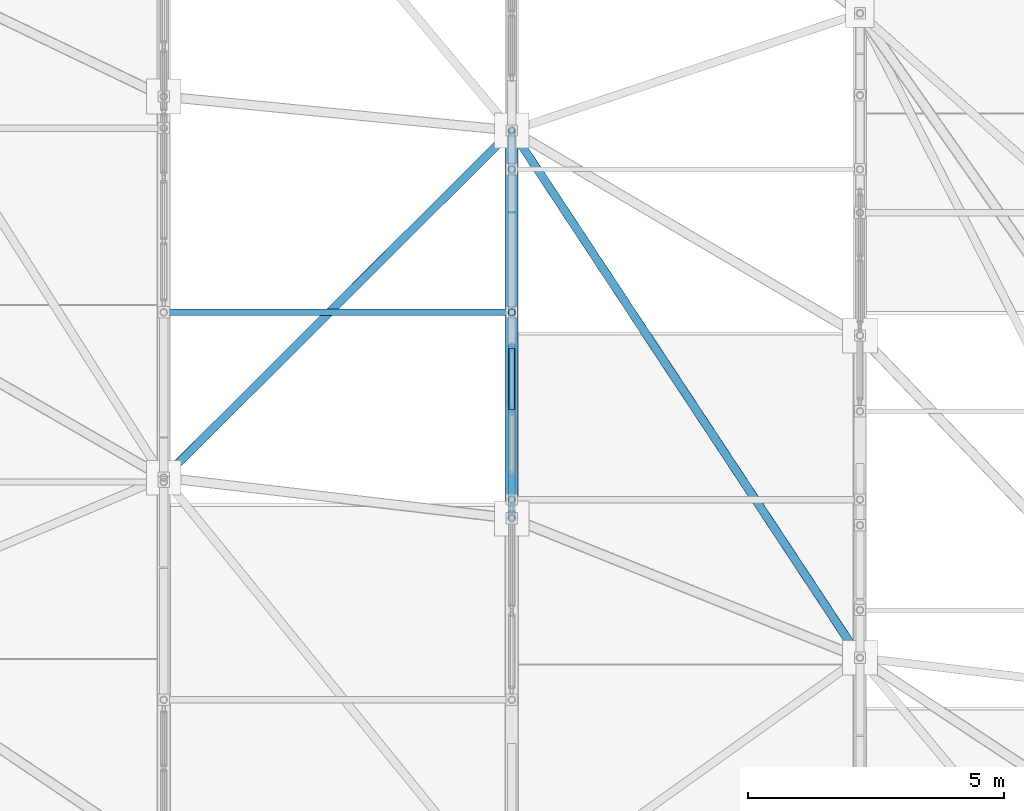
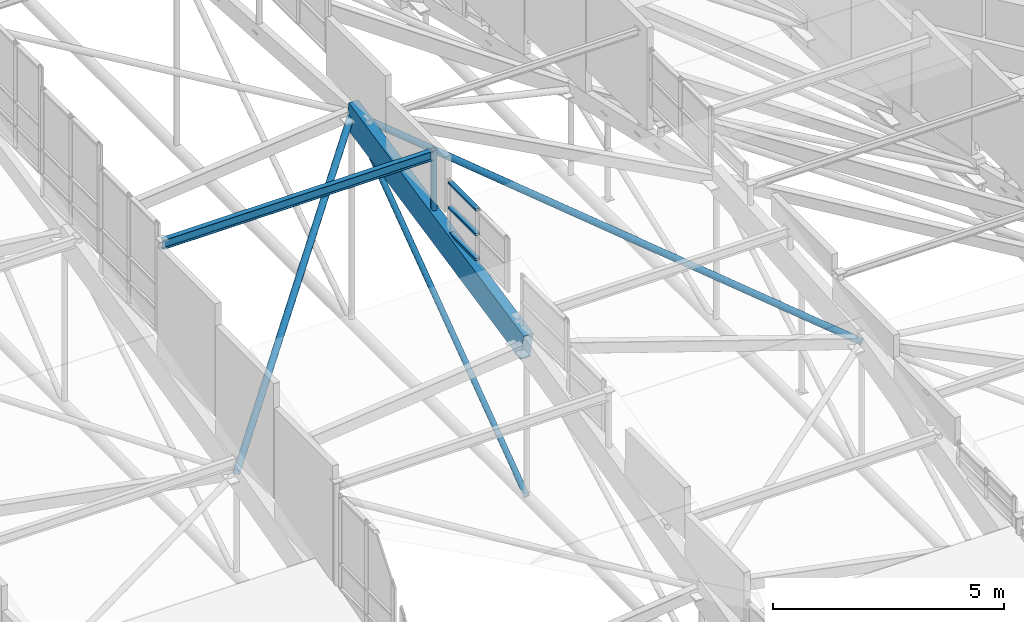
# One storey, part 18 of 188: 9 members, 1 element without a shape of its own.
"""IFC4 building model written with IfcOpenShell, lengths in metres."""

import ifcopenshell
import ifcopenshell.guid

model = None  # the IFC model being written
_history = None  # IfcOwnerHistory: only IFC2X3 demands one
_inside = {}  # id of a spatial element -> (the spatial element, [elements in it])
_under = {}  # id of a project, library or spatial element -> (it, [spatial elements below it])
_declared = {}  # id of a project -> (the project, [libraries it declares])
_typed = {}  # id of a type object -> (the type object, [elements of that type])
_made_of = {}  # id of a material, layer set ... -> (it, [elements and type objects made of it])


def new_model(schema):
    """Start an empty IFC model of exactly this schema.

    Asked for "IFC4X3", IfcOpenShell would pick the latest addendum, in which some entities
    have other attributes; the version numbers below select the first issue.
    IFC2X3 requires an IfcOwnerHistory on every rooted entity: one is made here for all.
    """
    global model, _history
    if schema == "IFC4X3":
        model = ifcopenshell.file(schema_version=(4, 3, 0, 0))
    else:
        model = ifcopenshell.file(schema=schema)
    _inside.clear()
    _under.clear()
    _declared.clear()
    _typed.clear()
    _made_of.clear()
    _history = None
    if model.schema == "IFC2X3":
        org = make("IfcOrganization", Name="unknown")
        user = make(
            "IfcPersonAndOrganization",
            ThePerson=make("IfcPerson", FamilyName="unknown"),
            TheOrganization=org,
        )
        app = make(
            "IfcApplication",
            ApplicationDeveloper=org,
            Version="unknown",
            ApplicationFullName="unknown",
            ApplicationIdentifier="unknown",
        )
        _history = make(
            "IfcOwnerHistory",
            OwningUser=user,
            OwningApplication=app,
            ChangeAction="ADDED",
            CreationDate=0,
        )
    return model


def make(cls, **values):
    """One entity of the class cls with the attributes given. An attribute that is None is left unset."""
    return model.create_entity(
        cls, **{name: value for name, value in values.items() if value is not None}
    )


def rooted(cls, **values):
    """An entity with a GlobalId (a new one), such as an element, a storey or a relation."""
    return make(cls, GlobalId=ifcopenshell.guid.new(), OwnerHistory=_history, **values)


def si_unit(unit_type, name, prefix=None):
    """IfcSIUnit, for example si_unit("LENGTHUNIT", "METRE", prefix="MILLI")."""
    return make("IfcSIUnit", UnitType=unit_type, Prefix=prefix, Name=name)


def assignment(units):
    """IfcUnitAssignment: the units of a project."""
    return None if units is None else make("IfcUnitAssignment", Units=units)


def point(xyz):
    """IfcCartesianPoint."""
    return None if xyz is None else make("IfcCartesianPoint", Coordinates=xyz)


def direction(xyz):
    """IfcDirection."""
    return None if xyz is None else make("IfcDirection", DirectionRatios=xyz)


def frame(location, z_axis=None, x_axis=None):
    """IfcAxis2Placement3D, a coordinate frame: its origin and axes. An axis left out is left unset."""
    return make(
        "IfcAxis2Placement3D",
        Location=point(location),
        Axis=direction(z_axis),
        RefDirection=direction(x_axis),
    )


def frame_2d(location, x_axis=None):
    """IfcAxis2Placement2D, a coordinate frame in the plane: its origin and x axis."""
    return make(
        "IfcAxis2Placement2D", Location=point(location), RefDirection=direction(x_axis)
    )


def origin():
    """The frame at (0, 0, 0) with its axes left unset."""
    return frame((0.0, 0.0, 0.0))


def origin_2d():
    """The frame at (0, 0) in the plane with its x axis left unset."""
    return frame_2d((0.0, 0.0))


def place(relative_to, where):
    """IfcLocalPlacement: puts the frame where relative to a parent placement (None: the world)."""
    return make(
        "IfcLocalPlacement", PlacementRelTo=relative_to, RelativePlacement=where
    )


def context(
    kind, dimensions, precision=None, world=None, true_north=None, identifier=None
):
    """IfcGeometricRepresentationContext, for example the 3D "Model" context."""
    return make(
        "IfcGeometricRepresentationContext",
        ContextIdentifier=identifier,
        ContextType=kind,
        CoordinateSpaceDimension=dimensions,
        Precision=precision,
        WorldCoordinateSystem=world,
        TrueNorth=true_north,
    )


def subcontext(parent, identifier, kind, view, scale=None):
    """IfcGeometricRepresentationSubContext, for example "Body" below "Model"."""
    return make(
        "IfcGeometricRepresentationSubContext",
        ContextIdentifier=identifier,
        ContextType=kind,
        ParentContext=parent,
        TargetScale=scale,
        TargetView=view,
    )


def project(units=None, contexts=None):
    """IfcProject with its units and contexts."""
    return rooted(
        "IfcProject",
        Name="project",
        RepresentationContexts=contexts,
        UnitsInContext=assignment(units),
    )


def spatial(cls, under=None, at=None, **own):
    """A site, building, storey or space (cls), placed at a placement, below another one or the project."""
    s = rooted(cls, ObjectPlacement=at, **own)
    if under is not None:
        _under.setdefault(under.id(), (under, []))[1].append(s)
    return s


def profile(cls, at=None, kind="AREA", **sizes):
    """A parametric profile (cls). Its sizes go by their IFC names, for example OverallWidth=200.0."""
    return make(cls, ProfileType=kind, Position=at, **sizes)


def rectangle(**sizes):
    """IfcRectangleProfileDef."""
    return profile("IfcRectangleProfileDef", **sizes)


def hollow_rectangle(**sizes):
    """IfcRectangleHollowProfileDef."""
    return profile("IfcRectangleHollowProfileDef", **sizes)


def hollow_circle(**sizes):
    """IfcCircleHollowProfileDef."""
    return profile("IfcCircleHollowProfileDef", **sizes)


def i_section(**sizes):
    """IfcIShapeProfileDef."""
    return profile("IfcIShapeProfileDef", **sizes)


def extrude(swept, where, along, depth):
    """IfcExtrudedAreaSolid: the profile swept, set in the frame where, extruded along a direction by depth."""
    return make(
        "IfcExtrudedAreaSolid",
        SweptArea=swept,
        Position=where,
        ExtrudedDirection=direction(along),
        Depth=depth,
    )


def shape(context_of_items, identifier, shape_type, items):
    """IfcShapeRepresentation: the items that make up one representation, for example the "Body"."""
    return make(
        "IfcShapeRepresentation",
        ContextOfItems=context_of_items,
        RepresentationIdentifier=identifier,
        RepresentationType=shape_type,
        Items=items,
    )


def material(Name=None, Category=None):
    """IfcMaterial."""
    return make("IfcMaterial", Name=Name, Category=Category)


def layer(
    of_material, thickness, ventilated=None, Name=None, Category=None, Priority=None
):
    """IfcMaterialLayer: one layer of a wall or slab, of a material (None: an air gap)."""
    return make(
        "IfcMaterialLayer",
        Material=of_material,
        LayerThickness=thickness,
        IsVentilated=ventilated,
        Name=Name,
        Category=Category,
        Priority=Priority,
    )


def layer_set(layers, Name=None):
    """IfcMaterialLayerSet."""
    return make("IfcMaterialLayerSet", MaterialLayers=layers, LayerSetName=Name)


def material_profile(
    of_material, cross_section, Name=None, Category=None, Priority=None
):
    """IfcMaterialProfile: a cross section and its material."""
    return make(
        "IfcMaterialProfile",
        Name=Name,
        Material=of_material,
        Profile=cross_section,
        Priority=Priority,
        Category=Category,
    )


def profile_set(profiles, Name=None, composite=None):
    """IfcMaterialProfileSet."""
    return make(
        "IfcMaterialProfileSet",
        Name=Name,
        MaterialProfiles=profiles,
        CompositeProfile=composite,
    )


def made_of(thing, what):
    """Note that an element or type object is made of a material, layer set ...; save() writes the relation."""
    if what is not None:
        _made_of.setdefault(what.id(), (what, []))[1].append(thing)
    return thing


def type_object(cls, material=None, **own):
    """A type object (cls), such as IfcWallType, which elements share."""
    return made_of(rooted(cls, **own), material)


def element(
    cls,
    number,
    at=None,
    inside=None,
    cuts=None,
    type_object=None,
    material=None,
    context=None,
    identifier="Body",
    shape_type=None,
    held_by="IfcProductDefinitionShape",
    body=None,
    shapes=None,
    **own,
):
    """One element of the class cls, such as IfcWall. Its Tag is "e" and its number.

    at: its placement. inside: the storey or other place that contains it. cuts: it is an
    opening in that element (IfcRelVoidsElement). A single representation is given by context,
    identifier, shape_type and body (its items); several are given by shapes. held_by: the class
    of the entity that holds the representations. save() writes the other relations.
    """
    e = rooted(cls, Tag="e%d" % number, ObjectPlacement=at, **own)
    if body is not None:
        shapes = [shape(context, identifier, shape_type, body)]
    if shapes is not None:
        e.Representation = make(held_by, Representations=shapes)
    if inside is not None:
        _inside.setdefault(inside.id(), (inside, []))[1].append(e)
    if cuts is not None:
        rooted(
            "IfcRelVoidsElement", RelatingBuildingElement=cuts, RelatedOpeningElement=e
        )
    if type_object is not None:
        _typed.setdefault(type_object.id(), (type_object, []))[1].append(e)
    return made_of(e, material)


def aggregate(whole, parts):
    """IfcRelAggregates: a whole, such as a stair, and the parts it consists of."""
    return rooted("IfcRelAggregates", RelatingObject=whole, RelatedObjects=parts)


def save(model, path):
    """Write the relations noted so far, then the file.

    IfcRelAggregates (storeys below a building ...), IfcRelContainedInSpatialStructure (elements
    in a storey), IfcRelDefinesByType, IfcRelAssociatesMaterial and IfcRelDeclares: one each for
    every whole, place, type object, material and project.
    """
    for whole, parts in _under.values():
        aggregate(whole, parts)
    for where, things in _inside.values():
        rooted(
            "IfcRelContainedInSpatialStructure",
            RelatedElements=things,
            RelatingStructure=where,
        )
    for kind, things in _typed.values():
        rooted("IfcRelDefinesByType", RelatedObjects=things, RelatingType=kind)
    for what, things in _made_of.values():
        rooted("IfcRelAssociatesMaterial", RelatedObjects=things, RelatingMaterial=what)
    for by, libraries in _declared.values():
        rooted("IfcRelDeclares", RelatingContext=by, RelatedDefinitions=libraries)
    model.write(path)


model = new_model("IFC4")

# Units and contexts
model_context = context("Model", 3, precision=1e-05, world=origin(), true_north=direction((0.0, 1.0)))
body_context = subcontext(model_context, "Body", "Model", "MODEL_VIEW")
ifc_project = project(units=[si_unit("LENGTHUNIT", "METRE"), si_unit("AREAUNIT", "SQUARE_METRE"), si_unit("VOLUMEUNIT", "CUBIC_METRE"), si_unit("PLANEANGLEUNIT", "RADIAN"), si_unit("MASSUNIT", "GRAM", prefix="KILO")], contexts=[model_context])

# Site, building, storey
site_placement = place(None, origin())
site = spatial("IfcSite", under=ifc_project, at=site_placement, CompositionType="ELEMENT")
building_placement = place(site_placement, origin())
building = spatial("IfcBuilding", under=site, at=building_placement, Name="Kisaragi Civic Commons", CompositionType="ELEMENT")
storey_placement = place(building_placement, frame((0.0, 0.0, 9.60009765625)))
storey = spatial("IfcBuildingStorey", under=building, at=storey_placement, Name="L02", CompositionType="ELEMENT", Elevation=9.60009765625)

# Members
ifc_material_1 = material(Name="Steel SN400 (SN400B)", Category="steel")
ifc_material_profile_1 = material_profile(ifc_material_1, hollow_circle(Radius=0.08251953125, WallThickness=0.006103515625, at=origin_2d()), Name="CHS-165.2x6.0", Category="steel")
ifc_profile_set_1 = profile_set([ifc_material_profile_1], Name="Steel SN400 (SN400B)")
member_type_1 = type_object("IfcMemberType", Name="BR-02", PredefinedType="BRACE", material=ifc_profile_set_1)
member_1_placement = place(storey_placement, frame((13.60009765625, 17.73046875, 2.0341796875), z_axis=(0.675637080853, 0.673866238296, 0.29902981099), x_axis=(-0.706178294945, 0.708034049851, 0.0)))
element("IfcMember", 1, at=member_1_placement, inside=storey, type_object=member_type_1, Name="V1 diagonal gridshell steel brace 14", PredefinedType="BRACE", context=body_context, shape_type="SweptSolid", body=[
    extrude(hollow_circle(Radius=0.08251953125, WallThickness=0.006103515625, at=origin_2d()), origin(), (0.0, 0.0, 1.0), 10.064208984375),
])
member_2_placement = place(storey_placement, frame((20.39990234375, 24.512451171875, 5.043701171875), z_axis=(0.542466444727, -0.821753014123, -0.174505415745), x_axis=(0.834558298007, 0.550919637722, 0.0)))
element("IfcMember", 2, at=member_2_placement, inside=storey, type_object=member_type_1, Name="V1 diagonal gridshell steel brace 20", PredefinedType="BRACE", context=body_context, shape_type="SweptSolid", body=[
    extrude(hollow_circle(Radius=0.08251953125, WallThickness=0.006103515625, at=origin_2d()), origin(), (0.0, 0.0, 1.0), 12.535400390625),
])

# Curtain wall, members
ifc_material_2 = material(Name="Thermally broken anodized aluminium and low-E double glazing", Category="aluminium")
ifc_layer = layer(ifc_material_2, 0.14990234375, Name="Thermally broken anodized aluminium and low-E double glazing", Category="aluminium")
ifc_layer_set = layer_set([ifc_layer], Name="Thermally broken anodized aluminium and low-E double glazing")
curtain_wall_type = type_object("IfcCurtainWallType", Name="CW-03", PredefinedType="NOTDEFINED", material=ifc_layer_set)
curtain_wall_placement = place(storey_placement, origin())
curtain_wall = element("IfcCurtainWall", 3, at=curtain_wall_placement, inside=storey, type_object=curtain_wall_type, Name="L02 curtain wall CW-03 CW-CL-V1-157", PredefinedType="NOTDEFINED")
ifc_material_profile_2 = material_profile(ifc_material_2, hollow_rectangle(XDim=0.1201171875, YDim=0.06005859375, WallThickness=0.00390625, InnerFilletRadius=0.00390625, OuterFilletRadius=0.008056640625, at=origin_2d()), Name="CWT-60x120x4", Category="aluminium")
ifc_profile_set_2 = profile_set([ifc_material_profile_2], Name="Thermally broken anodized aluminium and low-E double glazing")
member_type_2 = type_object("IfcMemberType", Name="CWT-01", PredefinedType="USERDEFINED", material=ifc_profile_set_2)
member_3_placement = place(storey_placement, frame((20.39990234375, 19.057373046875, 4.482666015625), z_axis=(0.0, 1.0, 0.0), x_axis=(-1.0, 0.0, 0.0)))
member_3 = element("IfcMember", 4, at=member_3_placement, type_object=member_type_2, Name="CW-03 transom 2.1", ObjectType="TRANSOM", PredefinedType="USERDEFINED", context=body_context, shape_type="SweptSolid", body=[
    extrude(hollow_rectangle(XDim=0.1201171875, YDim=0.06005859375, WallThickness=0.00390625, InnerFilletRadius=0.00390625, OuterFilletRadius=0.008056640625, at=origin_2d()), origin(), (0.0, 0.0, 1.0), 1.193115234375),
])
member_4_placement = place(storey_placement, frame((20.39990234375, 19.057373046875, 5.14013671875), z_axis=(0.0, 1.0, 0.0), x_axis=(-1.0, 0.0, 0.0)))
member_4 = element("IfcMember", 5, at=member_4_placement, type_object=member_type_2, Name="CW-03 transom 2.2", ObjectType="TRANSOM", PredefinedType="USERDEFINED", context=body_context, shape_type="SweptSolid", body=[
    extrude(hollow_rectangle(XDim=0.1201171875, YDim=0.06005859375, WallThickness=0.00390625, InnerFilletRadius=0.00390625, OuterFilletRadius=0.008056640625, at=origin_2d()), origin(), (0.0, 0.0, 1.0), 1.193115234375),
])
member_5_placement = place(storey_placement, frame((20.39990234375, 19.057373046875, 5.797607421875), z_axis=(0.0, 1.0, 0.0), x_axis=(-1.0, 0.0, 0.0)))
member_5 = element("IfcMember", 6, at=member_5_placement, type_object=member_type_2, Name="CW-03 transom 2.3", ObjectType="TRANSOM", PredefinedType="USERDEFINED", context=body_context, shape_type="SweptSolid", body=[
    extrude(hollow_rectangle(XDim=0.1201171875, YDim=0.06005859375, WallThickness=0.00390625, InnerFilletRadius=0.00390625, OuterFilletRadius=0.008056640625, at=origin_2d()), origin(), (0.0, 0.0, 1.0), 1.193115234375),
])
aggregate(curtain_wall, [member_3, member_4, member_5])

# Members
ifc_material_3 = material(Name="Glulam E120-F330", Category="wood")
ifc_material_profile_3 = material_profile(ifc_material_3, rectangle(XDim=0.239990234375, YDim=0.719970703125, at=origin_2d()), Name="GL-240x720", Category="wood")
ifc_profile_set_3 = profile_set([ifc_material_profile_3], Name="Glulam E120-F330")
member_type_3 = type_object("IfcMemberType", Name="GR-02", PredefinedType="RAFTER", material=ifc_profile_set_3)
member_6_placement = place(storey_placement, frame((20.39990234375, 16.93505859375, 3.464599609375), z_axis=(0.0, 0.978968084566, 0.204013453973), x_axis=(-1.0, 0.0, 0.0)))
element("IfcMember", 7, at=member_6_placement, inside=storey, type_object=member_type_3, Name="V1 glulam arch rib GR-02 27", PredefinedType="RAFTER", context=body_context, shape_type="SweptSolid", body=[
    extrude(rectangle(XDim=0.239990234375, YDim=0.719970703125, at=origin_2d()), origin(), (0.0, 0.0, 1.0), 7.740234375),
])
ifc_material_profile_4 = material_profile(ifc_material_1, i_section(OverallWidth=0.125, OverallDepth=0.25, WebThickness=0.006103515625, FlangeThickness=0.009033203125, FilletRadius=0.008056640625, at=origin_2d()), Name="H-250x125x6x9", Category="steel")
ifc_profile_set_4 = profile_set([ifc_material_profile_4], Name="Steel SN400 (SN400B)")
member_type_4 = type_object("IfcMemberType", Name="PR-01", PredefinedType="PURLIN", material=ifc_profile_set_4)
member_7_placement = place(storey_placement, frame((13.60009765625, 20.959228515625, 6.117919921875), z_axis=(1.0, 0.0, 0.0), x_axis=(0.0, 1.0, 0.0)))
element("IfcMember", 8, at=member_7_placement, inside=storey, type_object=member_type_4, Name="V1 wave vault steel purlin 19", PredefinedType="PURLIN", context=body_context, shape_type="SweptSolid", body=[
    extrude(i_section(OverallWidth=0.125, OverallDepth=0.25, WebThickness=0.006103515625, FlangeThickness=0.009033203125, FilletRadius=0.008056640625, at=origin_2d()), origin(), (0.0, 0.0, 1.0), 6.7998046875),
])
ifc_material_4 = material(Name="Steel SN490 (SN490B)", Category="steel")
ifc_material_profile_5 = material_profile(ifc_material_4, hollow_circle(Radius=0.06982421875, WallThickness=0.006103515625, at=origin_2d()), Name="CHS-139.8x6.0", Category="steel")
ifc_profile_set_5 = profile_set([ifc_material_profile_5], Name="Steel SN490 (SN490B)")
member_type_5 = type_object("IfcMemberType", Name="ST-H1", PredefinedType="STRUT", material=ifc_profile_set_5)
member_8_placement = place(storey_placement, frame((20.39990234375, 16.93505859375, -0.49951171875), z_axis=(0.0, 0.807092283949, 0.590425308731), x_axis=(-1.0, 0.0, 0.0)))
element("IfcMember", 9, at=member_8_placement, inside=storey, type_object=member_type_5, Name="V1 tied arch truss diagonal web strut 51", PredefinedType="STRUT", context=body_context, shape_type="SweptSolid", body=[
    extrude(hollow_circle(Radius=0.06982421875, WallThickness=0.006103515625, at=origin_2d()), origin(), (0.0, 0.0, 1.0), 9.388427734375),
])
member_9_placement = place(storey_placement, frame((20.39990234375, 20.959228515625, 4.30322265625), z_axis=(0.0, 0.0, 1.0), x_axis=(1.0, 0.0, 0.0)))
element("IfcMember", 10, at=member_9_placement, inside=storey, type_object=member_type_5, Name="V1 clerestory monitor horizontal tie strut 3.3.3", PredefinedType="STRUT", context=body_context, shape_type="SweptSolid", body=[
    extrude(hollow_circle(Radius=0.06982421875, WallThickness=0.006103515625, at=origin_2d()), origin(), (0.0, 0.0, 1.0), 1.939697265625),
])

save(model, "model.ifc")
